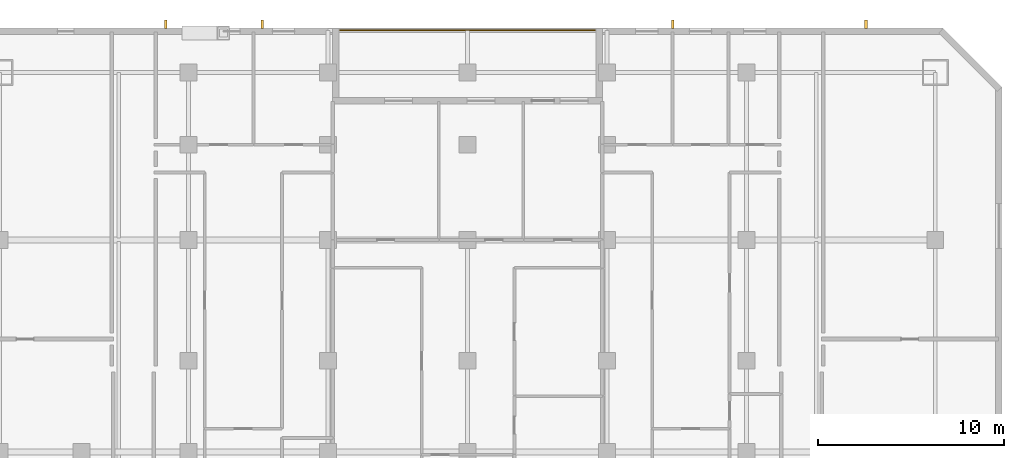
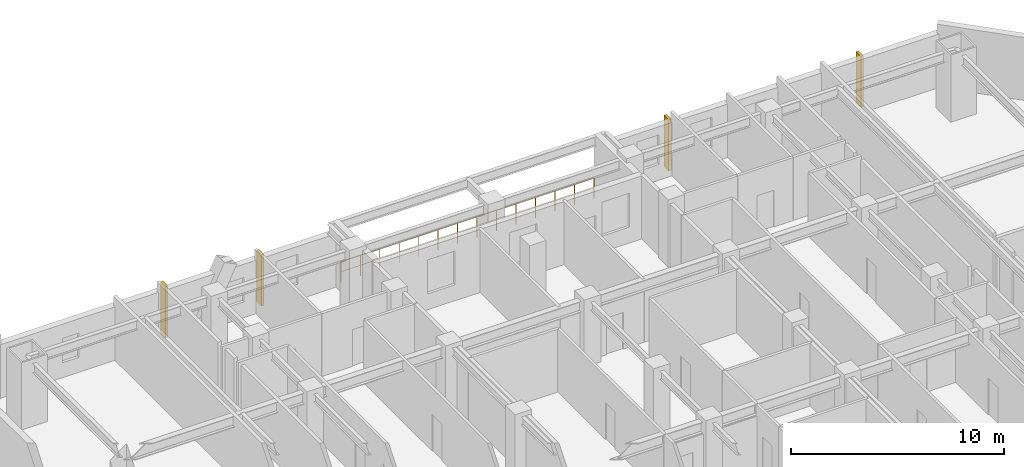
# One storey, part 10 of 10: 4 shading devices, 1 railing.
"""IFC4 building model written with IfcOpenShell, lengths in metres."""

import ifcopenshell
import ifcopenshell.guid

model = None  # the IFC model being written
_history = None  # IfcOwnerHistory: only IFC2X3 demands one
_inside = {}  # id of a spatial element -> (the spatial element, [elements in it])
_under = {}  # id of a project, library or spatial element -> (it, [spatial elements below it])
_declared = {}  # id of a project -> (the project, [libraries it declares])
_typed = {}  # id of a type object -> (the type object, [elements of that type])
_made_of = {}  # id of a material, layer set ... -> (it, [elements and type objects made of it])


def new_model(schema):
    """Start an empty IFC model of exactly this schema.

    Asked for "IFC4X3", IfcOpenShell would pick the latest addendum, in which some entities
    have other attributes; the version numbers below select the first issue.
    IFC2X3 requires an IfcOwnerHistory on every rooted entity: one is made here for all.
    """
    global model, _history
    if schema == "IFC4X3":
        model = ifcopenshell.file(schema_version=(4, 3, 0, 0))
    else:
        model = ifcopenshell.file(schema=schema)
    _inside.clear()
    _under.clear()
    _declared.clear()
    _typed.clear()
    _made_of.clear()
    _history = None
    if model.schema == "IFC2X3":
        org = make("IfcOrganization", Name="unknown")
        user = make(
            "IfcPersonAndOrganization",
            ThePerson=make("IfcPerson", FamilyName="unknown"),
            TheOrganization=org,
        )
        app = make(
            "IfcApplication",
            ApplicationDeveloper=org,
            Version="unknown",
            ApplicationFullName="unknown",
            ApplicationIdentifier="unknown",
        )
        _history = make(
            "IfcOwnerHistory",
            OwningUser=user,
            OwningApplication=app,
            ChangeAction="ADDED",
            CreationDate=0,
        )
    return model


def make(cls, **values):
    """One entity of the class cls with the attributes given. An attribute that is None is left unset."""
    return model.create_entity(
        cls, **{name: value for name, value in values.items() if value is not None}
    )


def rooted(cls, **values):
    """An entity with a GlobalId (a new one), such as an element, a storey or a relation."""
    return make(cls, GlobalId=ifcopenshell.guid.new(), OwnerHistory=_history, **values)


def si_unit(unit_type, name, prefix=None):
    """IfcSIUnit, for example si_unit("LENGTHUNIT", "METRE", prefix="MILLI")."""
    return make("IfcSIUnit", UnitType=unit_type, Prefix=prefix, Name=name)


def assignment(units):
    """IfcUnitAssignment: the units of a project."""
    return None if units is None else make("IfcUnitAssignment", Units=units)


def point(xyz):
    """IfcCartesianPoint."""
    return None if xyz is None else make("IfcCartesianPoint", Coordinates=xyz)


def direction(xyz):
    """IfcDirection."""
    return None if xyz is None else make("IfcDirection", DirectionRatios=xyz)


def frame(location, z_axis=None, x_axis=None):
    """IfcAxis2Placement3D, a coordinate frame: its origin and axes. An axis left out is left unset."""
    return make(
        "IfcAxis2Placement3D",
        Location=point(location),
        Axis=direction(z_axis),
        RefDirection=direction(x_axis),
    )


def frame_2d(location, x_axis=None):
    """IfcAxis2Placement2D, a coordinate frame in the plane: its origin and x axis."""
    return make(
        "IfcAxis2Placement2D", Location=point(location), RefDirection=direction(x_axis)
    )


def origin():
    """The frame at (0, 0, 0) with its axes left unset."""
    return frame((0.0, 0.0, 0.0))


def origin_2d():
    """The frame at (0, 0) in the plane with its x axis left unset."""
    return frame_2d((0.0, 0.0))


def place(relative_to, where):
    """IfcLocalPlacement: puts the frame where relative to a parent placement (None: the world)."""
    return make(
        "IfcLocalPlacement", PlacementRelTo=relative_to, RelativePlacement=where
    )


def context(
    kind, dimensions, precision=None, world=None, true_north=None, identifier=None
):
    """IfcGeometricRepresentationContext, for example the 3D "Model" context."""
    return make(
        "IfcGeometricRepresentationContext",
        ContextIdentifier=identifier,
        ContextType=kind,
        CoordinateSpaceDimension=dimensions,
        Precision=precision,
        WorldCoordinateSystem=world,
        TrueNorth=true_north,
    )


def subcontext(parent, identifier, kind, view, scale=None):
    """IfcGeometricRepresentationSubContext, for example "Body" below "Model"."""
    return make(
        "IfcGeometricRepresentationSubContext",
        ContextIdentifier=identifier,
        ContextType=kind,
        ParentContext=parent,
        TargetScale=scale,
        TargetView=view,
    )


def project(units=None, contexts=None):
    """IfcProject with its units and contexts."""
    return rooted(
        "IfcProject",
        Name="project",
        RepresentationContexts=contexts,
        UnitsInContext=assignment(units),
    )


def spatial(cls, under=None, at=None, **own):
    """A site, building, storey or space (cls), placed at a placement, below another one or the project."""
    s = rooted(cls, ObjectPlacement=at, **own)
    if under is not None:
        _under.setdefault(under.id(), (under, []))[1].append(s)
    return s


def profile(cls, at=None, kind="AREA", **sizes):
    """A parametric profile (cls). Its sizes go by their IFC names, for example OverallWidth=200.0."""
    return make(cls, ProfileType=kind, Position=at, **sizes)


def rectangle(**sizes):
    """IfcRectangleProfileDef."""
    return profile("IfcRectangleProfileDef", **sizes)


def circle(**sizes):
    """IfcCircleProfileDef."""
    return profile("IfcCircleProfileDef", **sizes)


def extrude(swept, where, along, depth):
    """IfcExtrudedAreaSolid: the profile swept, set in the frame where, extruded along a direction by depth."""
    return make(
        "IfcExtrudedAreaSolid",
        SweptArea=swept,
        Position=where,
        ExtrudedDirection=direction(along),
        Depth=depth,
    )


def shape(context_of_items, identifier, shape_type, items):
    """IfcShapeRepresentation: the items that make up one representation, for example the "Body"."""
    return make(
        "IfcShapeRepresentation",
        ContextOfItems=context_of_items,
        RepresentationIdentifier=identifier,
        RepresentationType=shape_type,
        Items=items,
    )


def material(Name=None, Category=None):
    """IfcMaterial."""
    return make("IfcMaterial", Name=Name, Category=Category)


def made_of(thing, what):
    """Note that an element or type object is made of a material, layer set ...; save() writes the relation."""
    if what is not None:
        _made_of.setdefault(what.id(), (what, []))[1].append(thing)
    return thing


def type_object(cls, material=None, **own):
    """A type object (cls), such as IfcWallType, which elements share."""
    return made_of(rooted(cls, **own), material)


def element(
    cls,
    number,
    at=None,
    inside=None,
    cuts=None,
    type_object=None,
    material=None,
    context=None,
    identifier="Body",
    shape_type=None,
    held_by="IfcProductDefinitionShape",
    body=None,
    shapes=None,
    **own,
):
    """One element of the class cls, such as IfcWall. Its Tag is "e" and its number.

    at: its placement. inside: the storey or other place that contains it. cuts: it is an
    opening in that element (IfcRelVoidsElement). A single representation is given by context,
    identifier, shape_type and body (its items); several are given by shapes. held_by: the class
    of the entity that holds the representations. save() writes the other relations.
    """
    e = rooted(cls, Tag="e%d" % number, ObjectPlacement=at, **own)
    if body is not None:
        shapes = [shape(context, identifier, shape_type, body)]
    if shapes is not None:
        e.Representation = make(held_by, Representations=shapes)
    if inside is not None:
        _inside.setdefault(inside.id(), (inside, []))[1].append(e)
    if cuts is not None:
        rooted(
            "IfcRelVoidsElement", RelatingBuildingElement=cuts, RelatedOpeningElement=e
        )
    if type_object is not None:
        _typed.setdefault(type_object.id(), (type_object, []))[1].append(e)
    return made_of(e, material)


def aggregate(whole, parts):
    """IfcRelAggregates: a whole, such as a stair, and the parts it consists of."""
    return rooted("IfcRelAggregates", RelatingObject=whole, RelatedObjects=parts)


def save(model, path):
    """Write the relations noted so far, then the file.

    IfcRelAggregates (storeys below a building ...), IfcRelContainedInSpatialStructure (elements
    in a storey), IfcRelDefinesByType, IfcRelAssociatesMaterial and IfcRelDeclares: one each for
    every whole, place, type object, material and project.
    """
    for whole, parts in _under.values():
        aggregate(whole, parts)
    for where, things in _inside.values():
        rooted(
            "IfcRelContainedInSpatialStructure",
            RelatedElements=things,
            RelatingStructure=where,
        )
    for kind, things in _typed.values():
        rooted("IfcRelDefinesByType", RelatedObjects=things, RelatingType=kind)
    for what, things in _made_of.values():
        rooted("IfcRelAssociatesMaterial", RelatedObjects=things, RelatingMaterial=what)
    for by, libraries in _declared.values():
        rooted("IfcRelDeclares", RelatingContext=by, RelatedDefinitions=libraries)
    model.write(path)


model = new_model("IFC4")

# Units and contexts
model_context = context("Model", 3, precision=1e-05, world=origin(), true_north=direction((0.0, 1.0)))
body_context = subcontext(model_context, "Body", "Model", "MODEL_VIEW")
ifc_project = project(units=[si_unit("LENGTHUNIT", "METRE"), si_unit("AREAUNIT", "SQUARE_METRE"), si_unit("VOLUMEUNIT", "CUBIC_METRE"), si_unit("PLANEANGLEUNIT", "RADIAN"), si_unit("MASSUNIT", "GRAM", prefix="KILO")], contexts=[model_context])

# Site, building, storey
site_placement = place(None, origin())
site = spatial("IfcSite", under=ifc_project, at=site_placement, CompositionType="ELEMENT")
building_placement = place(site_placement, origin())
building = spatial("IfcBuilding", under=site, at=building_placement, Name="Ventersveld Concourse Tower", CompositionType="ELEMENT")
storey_placement = place(building_placement, frame((0.0, 0.0, 60.60009765625)))
storey = spatial("IfcBuildingStorey", under=building, at=storey_placement, Name="L14", CompositionType="ELEMENT", Elevation=60.60009765625)

# Railing
ifc_material_1 = material(Name="Brushed stainless steel 316", Category="steel")
railing_type = type_object("IfcRailingType", Name="GD-TER-120", PredefinedType="GUARDRAIL", material=ifc_material_1)
railing_placement = place(storey_placement, frame((21.89990234375, 46.280029296875, 0.0)))
element("IfcRailing", 1, at=railing_placement, inside=storey, type_object=railing_type, Name="L14 Outdoor Terrace Guardrail NOTCH-N", PredefinedType="GUARDRAIL", context=body_context, shape_type="SweptSolid", body=[
    extrude(circle(Radius=0.02392578125, at=origin_2d()), frame((0.0, 0.0, 1.17578125), z_axis=(1.0, 0.0, 0.0), x_axis=(0.0, 1.0, 0.0)), (0.0, 0.0, 1.0), 13.7001953125),
    extrude(circle(Radius=0.01611328125, at=origin_2d()), frame((0.0, 0.0, 0.60009765625), z_axis=(1.0, 0.0, 0.0), x_axis=(0.0, 1.0, 0.0)), (0.0, 0.0, 1.0), 13.7001953125),
    extrude(circle(Radius=0.02099609375, at=origin_2d()), origin(), (0.0, 0.0, 1.0), 1.15185546875),
    extrude(circle(Radius=0.02099609375, at=origin_2d()), frame((1.053955078125, 0.0, 0.0)), (0.0, 0.0, 1.0), 1.15185546875),
    extrude(circle(Radius=0.02099609375, at=origin_2d()), frame((2.107666015625, 0.0, 0.0)), (0.0, 0.0, 1.0), 1.15185546875),
    extrude(circle(Radius=0.02099609375, at=origin_2d()), frame((3.16162109375, 0.0, 0.0)), (0.0, 0.0, 1.0), 1.15185546875),
    extrude(circle(Radius=0.02099609375, at=origin_2d()), frame((4.21533203125, 0.0, 0.0)), (0.0, 0.0, 1.0), 1.15185546875),
    extrude(circle(Radius=0.02099609375, at=origin_2d()), frame((5.269287109375, 0.0, 0.0)), (0.0, 0.0, 1.0), 1.15185546875),
    extrude(circle(Radius=0.02099609375, at=origin_2d()), frame((6.3232421875, 0.0, 0.0)), (0.0, 0.0, 1.0), 1.15185546875),
    extrude(circle(Radius=0.02099609375, at=origin_2d()), frame((7.376953125, 0.0, 0.0)), (0.0, 0.0, 1.0), 1.15185546875),
    extrude(circle(Radius=0.02099609375, at=origin_2d()), frame((8.430908203125, 0.0, 0.0)), (0.0, 0.0, 1.0), 1.15185546875),
    extrude(circle(Radius=0.02099609375, at=origin_2d()), frame((9.48486328125, 0.0, 0.0)), (0.0, 0.0, 1.0), 1.15185546875),
    extrude(circle(Radius=0.02099609375, at=origin_2d()), frame((10.53857421875, 0.0, 0.0)), (0.0, 0.0, 1.0), 1.15185546875),
    extrude(circle(Radius=0.02099609375, at=origin_2d()), frame((11.592529296875, 0.0, 0.0)), (0.0, 0.0, 1.0), 1.15185546875),
    extrude(circle(Radius=0.02099609375, at=origin_2d()), frame((12.646240234375, 0.0, 0.0)), (0.0, 0.0, 1.0), 1.15185546875),
    extrude(circle(Radius=0.02099609375, at=origin_2d()), frame((13.7001953125, 0.0, 0.0)), (0.0, 0.0, 1.0), 1.15185546875),
])

# Shading devices
ifc_material_2 = material(Name="Precast concrete C45/55", Category="concrete")
shading_device_type = type_object("IfcShadingDeviceType", Name="SHD-FIN-450", PredefinedType="USERDEFINED", material=ifc_material_2)
for number, where, z_axis, x_axis, name in (
    (2, (50.174560546875, 46.60009765625, 0.059814453125), (0.0, 0.0, 1.0), (1.0, 0.0, 0.0), "L14 North Vertical Solar Shading FIN 1"),
    (3, (39.775390625, 46.60009765625, 0.059814453125), (0.0, 0.0, 1.0), (1.0, 0.0, 0.0), "L14 North Vertical Solar Shading FIN 3"),
    (4, (17.724609375, 46.60009765625, 0.059814453125), (0.0, 0.0, 1.0), (1.0, 0.0, 0.0), "L14 North Vertical Solar Shading FIN 1"),
    (5, (12.52490234375, 46.60009765625, 0.059814453125), (0.0, 0.0, 1.0), (1.0, 0.0, 0.0), "L14 North Vertical Solar Shading FIN 2"),
):
    element("IfcShadingDevice", number, at=place(storey_placement, frame(where, z_axis=z_axis, x_axis=x_axis)), inside=storey, type_object=shading_device_type, Name=name, ObjectType="SUNSHADE", PredefinedType="USERDEFINED", context=body_context, shape_type="SweptSolid", body=[
        extrude(rectangle(XDim=0.139892578125, YDim=0.449951171875, at=origin_2d()), origin(), (0.0, 0.0, 1.0), 2.935546875),
    ])

save(model, "model.ifc")
